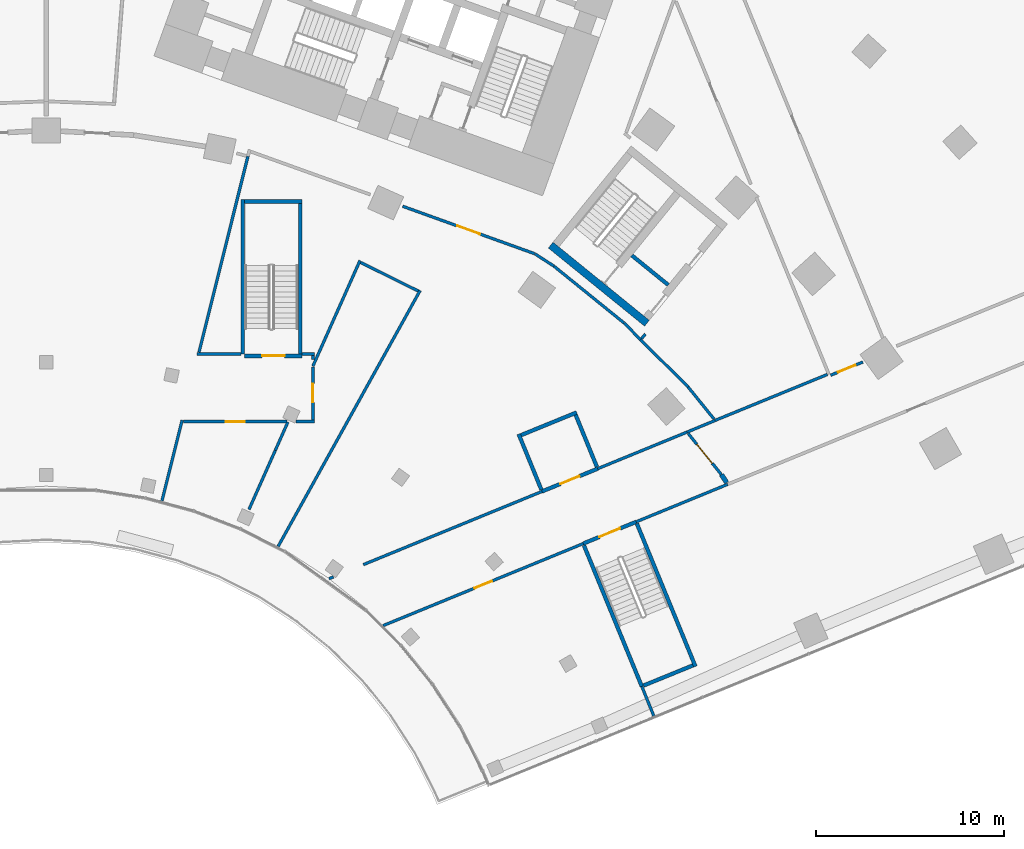
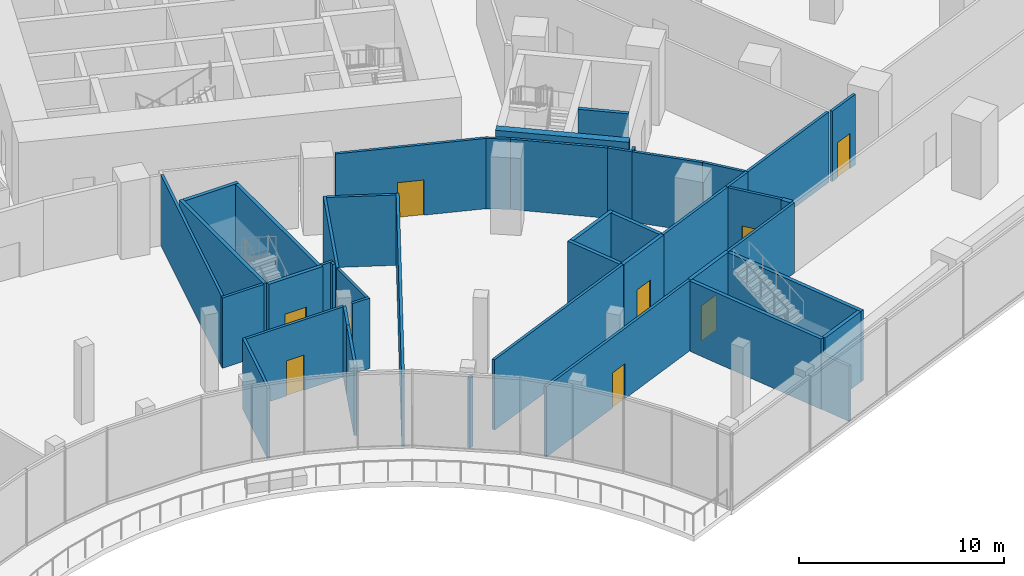
# One storey, part 25 of 39: 45 walls, 9 doors, 9 openings.
"""IFC4 building model written with IfcOpenShell, lengths in metres."""

from ifc_helpers import new_model, si_unit, direction, frame, frame_2d, origin, place, context, subcontext, project, spatial, rectangle, extrude, material, layer, layer_set, type_object, element, fill, save


model = new_model("IFC4")

# Units and contexts
model_context = context("Model", 3, precision=1e-05, world=origin(), true_north=direction((0.0, 1.0)))
body_context = subcontext(model_context, "Body", "Model", "MODEL_VIEW")
ifc_project = project(units=[si_unit("LENGTHUNIT", "METRE"), si_unit("AREAUNIT", "SQUARE_METRE"), si_unit("VOLUMEUNIT", "CUBIC_METRE"), si_unit("PLANEANGLEUNIT", "RADIAN"), si_unit("MASSUNIT", "GRAM", prefix="KILO")], contexts=[model_context])

# Site, building, storey
site_placement = place(None, origin())
site = spatial("IfcSite", under=ifc_project, at=site_placement, CompositionType="ELEMENT")
building_placement = place(site_placement, origin())
building = spatial("IfcBuilding", under=site, at=building_placement, Name="Stone Belt Terrace Tower", CompositionType="ELEMENT")
storey_placement = place(building_placement, frame((0.0, 0.0, 16.199951171875)))
storey = spatial("IfcBuildingStorey", under=building, at=storey_placement, Name="L03", CompositionType="ELEMENT", Elevation=16.199951171875)

# Walls
ifc_material_1 = material(Name="Fire-resistant glazing in steel frame", Category="steel")
ifc_layer_1 = layer(ifc_material_1, 0.25)
ifc_layer_set_1 = layer_set([ifc_layer_1], Name="Glazed compartment fire screen 250")
wall_type_1 = type_object("IfcWallType", Name="Glazed compartment fire screen 250", PredefinedType="PARTITIONING", material=ifc_layer_set_1)
wall_1_placement = place(storey_placement, frame((35.96337890625, 26.11474609375, 0.0), z_axis=(0.0, 0.0, 1.0), x_axis=(0.547453853433, -0.836835873013, 0.0)))
element("IfcWall", 1, at=wall_1_placement, inside=storey, type_object=wall_type_1, Name="Compartment fire screen L03 12", PredefinedType="PARTITIONING", context=body_context, shape_type="SweptSolid", body=[
    extrude(rectangle(XDim=0.5146484375, YDim=0.25, at=frame_2d((0.25732421875, 0.0))), origin(), (0.0, 0.0, 1.0), 4.199951171875),
])
ifc_material_2 = material(Name="Reinforced blockwork wall, plastered both faces", Category="masonry")
ifc_layer_2 = layer(ifc_material_2, 0.199951171875)
ifc_layer_set_2 = layer_set([ifc_layer_2], Name="Podium lift shaft wall 200")
wall_type_2 = type_object("IfcWallType", Name="Podium lift shaft wall 200", PredefinedType="SOLIDWALL", material=ifc_layer_set_2)
for number, where, z_axis, x_axis, name in (
    (2, (25.162109375, 28.272705078125, 0.0), (0.0, 0.0, 1.0), (0.378421783721, -0.925633271661, 0.0), "Podium lift shaft wall 200"),
    (3, (25.29248046875, 28.2177734375, 0.0), (0.0, 0.0, 1.0), (0.925660010793, 0.378356372246, 0.0), "Podium lift shaft wall 200"),
):
    element("IfcWall", number, at=place(storey_placement, frame(where, z_axis=z_axis, x_axis=x_axis)), inside=storey, type_object=wall_type_2, Name=name, PredefinedType="SOLIDWALL", context=body_context, shape_type="SweptSolid", body=[
        extrude(rectangle(XDim=3.197998046875, YDim=0.199951171875, at=frame_2d((1.59912109375, 0.0))), origin(), (0.0, 0.0, 1.0), 4.199951171875),
    ])

# Wall, opening, door
wall_2_placement = place(storey_placement, frame((26.409912109375, 25.219970703125, 0.0), z_axis=(0.0, 0.0, 1.0), x_axis=(0.925660010793, 0.378356372246, 0.0)))
wall_2 = element("IfcWall", 4, at=wall_2_placement, inside=storey, type_object=wall_type_2, Name="Podium lift shaft wall 200", PredefinedType="SOLIDWALL", context=body_context, shape_type="SweptSolid", body=[
    extrude(rectangle(XDim=3.197998046875, YDim=0.199951171875, at=frame_2d((1.59912109375, 0.0))), origin(), (0.0, 0.0, 1.0), 4.199951171875),
])
opening_1_placement = place(wall_2_placement, frame((1.048828125, 0.0, 0.0)))
opening_1 = element("IfcOpeningElement", 5, at=opening_1_placement, cuts=wall_2, Name="Opening L03-P10", PredefinedType="OPENING", context=body_context, shape_type="SweptSolid", body=[
    extrude(rectangle(XDim=1.10009765625, YDim=2.10009765625, at=frame_2d((0.550048828125, 1.050048828125))), frame((0.0, 0.10986328125, 0.0), z_axis=(0.0, -1.0, 0.0), x_axis=(1.0, 0.0, 0.0)), (0.0, 0.0, 1.0), 0.219970703125),
])
ifc_material_3 = material(Name="Stainless steel sliding landing door leaf", Category="steel")
door_type_1 = type_object("IfcDoorType", Name="Podium landing door 1100", OperationType="SLIDING_TO_LEFT", PredefinedType="DOOR", material=ifc_material_3)
door_1_placement = place(opening_1_placement, origin())
door_1 = element("IfcDoor", 6, at=door_1_placement, inside=storey, type_object=door_type_1, Name="Podium landing door 1100", OperationType="SLIDING_TO_LEFT", OverallHeight=2.10009765625, OverallWidth=1.10009765625, PredefinedType="DOOR", context=body_context, shape_type="SweptSolid", body=[
    extrude(rectangle(XDim=1.10009765625, YDim=2.10009765625, at=frame_2d((0.550048828125, 1.050048828125))), frame((0.0, 0.02490234375, 0.0), z_axis=(0.0, -1.0, 0.0), x_axis=(1.0, 0.0, 0.0)), (0.0, 0.0, 1.0), 0.050048828125),
])
fill(opening_1, door_1)

# Walls
wall_3_placement = place(storey_placement, frame((28.19775390625, 29.29736328125, 0.0), z_axis=(0.0, 0.0, 1.0), x_axis=(0.378471104771, -0.925613106461, 0.0)))
element("IfcWall", 7, at=wall_3_placement, inside=storey, type_object=wall_type_2, Name="Podium lift shaft wall 200", PredefinedType="SOLIDWALL", context=body_context, shape_type="SweptSolid", body=[
    extrude(rectangle(XDim=2.99755859375, YDim=0.199951171875, at=frame_2d((1.498779296875, 0.0))), origin(), (0.0, 0.0, 1.0), 4.199951171875),
])
ifc_material_4 = material(Name="Gypsum board on steel stud partition", Category="steel")
ifc_layer_3 = layer(ifc_material_4, 0.14990234375)
ifc_layer_set_3 = layer_set([ifc_layer_3], Name="Podium partition 150")
wall_type_3 = type_object("IfcWallType", Name="Podium partition 150", PredefinedType="PARTITIONING", material=ifc_layer_set_3)
wall_4_placement = place(storey_placement, frame((6.159912109375, 24.7099609375, 0.0), z_axis=(0.0, 0.0, 1.0), x_axis=(0.243092163695, 0.970003195845, 0.0)))
element("IfcWall", 8, at=wall_4_placement, inside=storey, type_object=wall_type_3, Name="Podium partition 150", PredefinedType="PARTITIONING", context=body_context, shape_type="SweptSolid", body=[
    extrude(rectangle(XDim=4.43798828125, YDim=0.14990234375, at=frame_2d((2.218994140625, 0.0))), origin(), (0.0, 0.0, 1.0), 4.199951171875),
])

# Wall, opening, door
wall_5_placement = place(storey_placement, frame((7.29736328125, 28.93994140625, 0.0), z_axis=(0.0, 0.0, 1.0), x_axis=(1.0, 0.0, 0.0)))
wall_5 = element("IfcWall", 9, at=wall_5_placement, inside=storey, type_object=wall_type_3, Name="Podium partition 150", PredefinedType="PARTITIONING", context=body_context, shape_type="SweptSolid", body=[
    extrude(rectangle(XDim=5.525634765625, YDim=0.14990234375, at=frame_2d((2.7626953125, 0.0))), origin(), (0.0, 0.0, 1.0), 4.199951171875),
])
opening_2_placement = place(wall_5_placement, frame((2.2626953125, 0.0, 0.0)))
opening_2 = element("IfcOpeningElement", 10, at=opening_2_placement, cuts=wall_5, Name="Opening L03-P30", PredefinedType="OPENING", context=body_context, shape_type="SweptSolid", body=[
    extrude(rectangle(XDim=1.0, YDim=2.10009765625, at=frame_2d((0.5, 1.050048828125))), frame((0.0, 0.0849609375, 0.0), z_axis=(0.0, -1.0, 0.0), x_axis=(1.0, 0.0, 0.0)), (0.0, 0.0, 1.0), 0.169921875),
])
ifc_material_5 = material(Name="Steel framed door leaf", Category="steel")
door_type_2 = type_object("IfcDoorType", Name="Podium door single 1000", OperationType="SINGLE_SWING_LEFT", PredefinedType="DOOR", material=ifc_material_5)
door_2_placement = place(opening_2_placement, origin())
door_2 = element("IfcDoor", 11, at=door_2_placement, inside=storey, type_object=door_type_2, Name="Podium door single 1000", OperationType="SINGLE_SWING_RIGHT", OverallHeight=2.10009765625, OverallWidth=1.0, PredefinedType="DOOR", context=body_context, shape_type="SweptSolid", body=[
    extrude(rectangle(XDim=1.0, YDim=2.10009765625, at=frame_2d((0.5, 1.050048828125))), frame((0.0, 0.02490234375, 0.0), z_axis=(0.0, -1.0, 0.0), x_axis=(1.0, 0.0, 0.0)), (0.0, 0.0, 1.0), 0.050048828125),
])
fill(opening_2, door_2)

# Walls
wall_6_placement = place(storey_placement, frame((8.03271484375, 32.5400390625, 0.0), z_axis=(0.0, 0.0, 1.0), x_axis=(1.0, 0.0, 0.0)))
element("IfcWall", 12, at=wall_6_placement, inside=storey, type_object=wall_type_3, Name="Podium partition 150", PredefinedType="PARTITIONING", context=body_context, shape_type="SweptSolid", body=[
    extrude(rectangle(XDim=2.33740234375, YDim=0.14990234375, at=frame_2d((1.168701171875, 0.0))), origin(), (0.0, 0.0, 1.0), 4.199951171875),
])
wall_7_placement = place(storey_placement, frame((8.133544921875, 32.634521484375, 0.0), z_axis=(0.0, 0.0, 1.0), x_axis=(0.242321992557, 0.970195883275, 0.0)))
element("IfcWall", 13, at=wall_7_placement, inside=storey, type_object=wall_type_3, Name="Podium partition 150", PredefinedType="PARTITIONING", context=body_context, shape_type="SweptSolid", body=[
    extrude(rectangle(XDim=10.756103515625, YDim=0.14990234375, at=frame_2d((5.3779296875, 0.0))), origin(), (0.0, 0.0, 1.0), 4.199951171875),
])
wall_8_placement = place(storey_placement, frame((10.795654296875, 24.256103515625, 0.0), z_axis=(0.0, 0.0, 1.0), x_axis=(0.406768267518, 0.913531376878, 0.0)))
element("IfcWall", 14, at=wall_8_placement, inside=storey, type_object=wall_type_3, Name="Podium partition 150", PredefinedType="PARTITIONING", context=body_context, shape_type="SweptSolid", body=[
    extrude(rectangle(XDim=3.452392578125, YDim=0.14990234375, at=frame_2d((1.72607421875, 0.0))), origin(), (0.0, 0.0, 1.0), 4.199951171875),
])

# Wall, opening, door
wall_9_placement = place(storey_placement, frame((18.987060546875, 40.4091796875, 0.0), z_axis=(0.0, 0.0, 1.0), x_axis=(0.940998255438, -0.338411411249, 0.0)))
wall_9 = element("IfcWall", 15, at=wall_9_placement, inside=storey, type_object=wall_type_3, Name="Podium partition 150", PredefinedType="PARTITIONING", context=body_context, shape_type="SweptSolid", body=[
    extrude(rectangle(XDim=7.46533203125, YDim=0.14990234375, at=frame_2d((3.732666015625, 0.0))), origin(), (0.0, 0.0, 1.0), 4.199951171875),
])
opening_3_placement = place(wall_9_placement, frame((3.08251953125, 0.0, 0.0)))
opening_3 = element("IfcOpeningElement", 16, at=opening_3_placement, cuts=wall_9, Name="Opening L03-P32", PredefinedType="OPENING", context=body_context, shape_type="SweptSolid", body=[
    extrude(rectangle(XDim=1.300048828125, YDim=2.10009765625, at=frame_2d((0.64990234375, 1.050048828125))), frame((0.0, 0.0849609375, 0.0), z_axis=(0.0, -1.0, 0.0), x_axis=(1.0, 0.0, 0.0)), (0.0, 0.0, 1.0), 0.169921875),
])
ifc_material_6 = material(Name="Steel framed fire door leaf", Category="steel")
door_type_3 = type_object("IfcDoorType", Name="Fire door 1300 x 2100 EI 60", OperationType="SINGLE_SWING_LEFT", PredefinedType="DOOR", material=ifc_material_6)
door_3_placement = place(opening_3_placement, origin())
door_3 = element("IfcDoor", 17, at=door_3_placement, inside=storey, type_object=door_type_3, Name="Fire door 1300 x 2100 EI 60", OperationType="SINGLE_SWING_LEFT", OverallHeight=2.10009765625, OverallWidth=1.300048828125, PredefinedType="DOOR", context=body_context, shape_type="SweptSolid", body=[
    extrude(rectangle(XDim=1.300048828125, YDim=2.10009765625, at=frame_2d((0.64990234375, 1.050048828125))), frame((0.0, 0.02490234375, 0.0), z_axis=(0.0, -1.0, 0.0), x_axis=(1.0, 0.0, 0.0)), (0.0, 0.0, 1.0), 0.050048828125),
])
fill(opening_3, door_3)

# Walls
wall_10_placement = place(storey_placement, frame((12.199951171875, 27.409912109375, 0.0), z_axis=(0.0, 0.0, 1.0), x_axis=(0.406152214357, 0.913805438139, 0.0)))
element("IfcWall", 18, at=wall_10_placement, inside=storey, type_object=wall_type_3, Name="Podium partition 150", PredefinedType="PARTITIONING", context=body_context, shape_type="SweptSolid", body=[
    extrude(rectangle(XDim=1.647705078125, YDim=0.14990234375, at=frame_2d((0.82373046875, 0.0))), origin(), (0.0, 0.0, 1.0), 4.199951171875),
])
wall_11_placement = place(storey_placement, frame((12.35009765625, 22.2900390625, 0.0), z_axis=(0.0, 0.0, 1.0), x_axis=(0.485208197881, 0.874398653195, 0.0)))
element("IfcWall", 19, at=wall_11_placement, inside=storey, type_object=wall_type_3, Name="Podium partition 150", PredefinedType="PARTITIONING", context=body_context, shape_type="SweptSolid", body=[
    extrude(rectangle(XDim=15.59423828125, YDim=0.14990234375, at=frame_2d((7.797119140625, 0.0))), origin(), (0.0, 0.0, 1.0), 4.199951171875),
])
wall_12_placement = place(storey_placement, frame((13.28955078125, 28.93994140625, 0.0), z_axis=(0.0, 0.0, 1.0), x_axis=(1.0, 0.0, 0.0)))
element("IfcWall", 20, at=wall_12_placement, inside=storey, type_object=wall_type_3, Name="Podium partition 150", PredefinedType="PARTITIONING", context=body_context, shape_type="SweptSolid", body=[
    extrude(rectangle(XDim=0.9853515625, YDim=0.14990234375, at=frame_2d((0.49267578125, 0.0))), origin(), (0.0, 0.0, 1.0), 4.199951171875),
])
wall_13_placement = place(storey_placement, frame((13.6298828125, 32.5400390625, 0.0), z_axis=(0.0, 0.0, 1.0), x_axis=(1.0, 0.0, 0.0)))
element("IfcWall", 21, at=wall_13_placement, inside=storey, type_object=wall_type_3, Name="Podium partition 150", PredefinedType="PARTITIONING", context=body_context, shape_type="SweptSolid", body=[
    extrude(rectangle(XDim=0.64501953125, YDim=0.14990234375, at=frame_2d((0.322509765625, 0.0))), origin(), (0.0, 0.0, 1.0), 4.199951171875),
])

# Wall, opening, door
wall_14_placement = place(storey_placement, frame((14.199951171875, 29.014892578125, 0.0), z_axis=(0.0, 0.0, 1.0), x_axis=(0.0, 1.0, 0.0)))
wall_14 = element("IfcWall", 22, at=wall_14_placement, inside=storey, type_object=wall_type_3, Name="Podium partition 150", PredefinedType="PARTITIONING", context=body_context, shape_type="SweptSolid", body=[
    extrude(rectangle(XDim=2.84521484375, YDim=0.14990234375, at=frame_2d((1.422607421875, 0.0))), origin(), (0.0, 0.0, 1.0), 4.199951171875),
])
opening_4_placement = place(wall_14_placement, frame((0.9423828125, 0.0, 0.0)))
opening_4 = element("IfcOpeningElement", 23, at=opening_4_placement, cuts=wall_14, Name="Opening L03-P31", PredefinedType="OPENING", context=body_context, shape_type="SweptSolid", body=[
    extrude(rectangle(XDim=1.0, YDim=2.10009765625, at=frame_2d((0.5, 1.050048828125))), frame((0.0, 0.0849609375, 0.0), z_axis=(0.0, -1.0, 0.0), x_axis=(1.0, 0.0, 0.0)), (0.0, 0.0, 1.0), 0.169921875),
])
door_4_placement = place(opening_4_placement, origin())
door_4 = element("IfcDoor", 24, at=door_4_placement, inside=storey, type_object=door_type_2, Name="Podium door single 1000", OperationType="SINGLE_SWING_LEFT", OverallHeight=2.10009765625, OverallWidth=1.0, PredefinedType="DOOR", context=body_context, shape_type="SweptSolid", body=[
    extrude(rectangle(XDim=1.0, YDim=2.10009765625, at=frame_2d((0.5, 1.050048828125))), frame((0.0, 0.02490234375, 0.0), z_axis=(0.0, -1.0, 0.0), x_axis=(1.0, 0.0, 0.0)), (0.0, 0.0, 1.0), 0.050048828125),
])
fill(opening_4, door_4)

# Walls
wall_15_placement = place(storey_placement, frame((14.199951171875, 32.241943359375, 0.0), z_axis=(0.0, 0.0, 1.0), x_axis=(0.0, 1.0, 0.0)))
element("IfcWall", 25, at=wall_15_placement, inside=storey, type_object=wall_type_3, Name="Podium partition 150", PredefinedType="PARTITIONING", context=body_context, shape_type="SweptSolid", body=[
    extrude(rectangle(XDim=0.22314453125, YDim=0.14990234375, at=frame_2d((0.111572265625, 0.0))), origin(), (0.0, 0.0, 1.0), 4.199951171875),
])
wall_16_placement = place(storey_placement, frame((14.199951171875, 31.889892578125, 0.0), z_axis=(0.0, 0.0, 1.0), x_axis=(0.407373019236, 0.913261859052, 0.0)))
element("IfcWall", 26, at=wall_16_placement, inside=storey, type_object=wall_type_3, Name="Podium partition 150", PredefinedType="PARTITIONING", context=body_context, shape_type="SweptSolid", body=[
    extrude(rectangle(XDim=6.163330078125, YDim=0.14990234375, at=frame_2d((3.08154296875, 0.0))), origin(), (0.0, 0.0, 1.0), 4.199951171875),
])
wall_17_placement = place(storey_placement, frame((15.06005859375, 20.570068359375, 0.0), z_axis=(0.0, 0.0, 1.0), x_axis=(0.925228539946, 0.379410264582, 0.0)))
element("IfcWall", 27, at=wall_17_placement, inside=storey, type_object=wall_type_3, Name="Podium partition 150", PredefinedType="PARTITIONING", context=body_context, shape_type="SweptSolid", body=[
    extrude(rectangle(XDim=0.2568359375, YDim=0.14990234375, at=frame_2d((0.12841796875, 0.0))), origin(), (0.0, 0.0, 1.0), 4.199951171875),
])
wall_18_placement = place(storey_placement, frame((16.889404296875, 21.319580078125, 0.0), z_axis=(0.0, 0.0, 1.0), x_axis=(0.925354817389, 0.379102178752, 0.0)))
element("IfcWall", 28, at=wall_18_placement, inside=storey, type_object=wall_type_3, Name="Podium partition 150", PredefinedType="PARTITIONING", context=body_context, shape_type="SweptSolid", body=[
    extrude(rectangle(XDim=10.28857421875, YDim=0.14990234375, at=frame_2d((5.144287109375, 0.0))), origin(), (0.0, 0.0, 1.0), 4.199951171875),
])
wall_19_placement = place(storey_placement, frame((16.747314453125, 37.41650390625, 0.0), z_axis=(0.0, 0.0, 1.0), x_axis=(0.895537068397, -0.444986920176, 0.0)))
element("IfcWall", 29, at=wall_19_placement, inside=storey, type_object=wall_type_3, Name="Podium partition 150", PredefinedType="PARTITIONING", context=body_context, shape_type="SweptSolid", body=[
    extrude(rectangle(XDim=3.423095703125, YDim=0.14990234375, at=frame_2d((1.71142578125, 0.0))), origin(), (0.0, 0.0, 1.0), 4.199951171875),
])

# Wall, opening, door
wall_20_placement = place(storey_placement, frame((17.93994140625, 18.070068359375, 0.0), z_axis=(0.0, 0.0, 1.0), x_axis=(0.925276002208, 0.379294502646, 0.0)))
wall_20 = element("IfcWall", 30, at=wall_20_placement, inside=storey, type_object=wall_type_3, Name="Podium partition 150", PredefinedType="PARTITIONING", context=body_context, shape_type="SweptSolid", body=[
    extrude(rectangle(XDim=11.52099609375, YDim=0.14990234375, at=frame_2d((5.760498046875, 0.0))), origin(), (0.0, 0.0, 1.0), 4.199951171875),
])
opening_5_placement = place(wall_20_placement, frame((5.260498046875, 0.0, 0.0)))
opening_5 = element("IfcOpeningElement", 31, at=opening_5_placement, cuts=wall_20, Name="Opening L03-P22", PredefinedType="OPENING", context=body_context, shape_type="SweptSolid", body=[
    extrude(rectangle(XDim=1.0, YDim=2.10009765625, at=frame_2d((0.5, 1.050048828125))), frame((0.0, 0.0849609375, 0.0), z_axis=(0.0, -1.0, 0.0), x_axis=(1.0, 0.0, 0.0)), (0.0, 0.0, 1.0), 0.169921875),
])
door_5_placement = place(opening_5_placement, origin())
door_5 = element("IfcDoor", 32, at=door_5_placement, inside=storey, type_object=door_type_2, Name="Podium door single 1000", OperationType="SINGLE_SWING_RIGHT", OverallHeight=2.10009765625, OverallWidth=1.0, PredefinedType="DOOR", context=body_context, shape_type="SweptSolid", body=[
    extrude(rectangle(XDim=1.0, YDim=2.10009765625, at=frame_2d((0.5, 1.050048828125))), frame((0.0, 0.02490234375, 0.0), z_axis=(0.0, -1.0, 0.0), x_axis=(1.0, 0.0, 0.0)), (0.0, 0.0, 1.0), 0.050048828125),
])
fill(opening_5, door_5)

# Walls
wall_21_placement = place(storey_placement, frame((26.027099609375, 37.875244140625, 0.0), z_axis=(0.0, 0.0, 1.0), x_axis=(0.839624630596, -0.543167082671, 0.0)))
element("IfcWall", 33, at=wall_21_placement, inside=storey, type_object=wall_type_3, Name="Podium partition 150", PredefinedType="PARTITIONING", context=body_context, shape_type="SweptSolid", body=[
    extrude(rectangle(XDim=1.202392578125, YDim=0.14990234375, at=frame_2d((0.60107421875, 0.0))), origin(), (0.0, 0.0, 1.0), 4.199951171875),
])
wall_22_placement = place(storey_placement, frame((27.043212890625, 37.217529296875, 0.0), z_axis=(0.0, 0.0, 1.0), x_axis=(0.776997524814, -0.62950365085, 0.0)))
element("IfcWall", 34, at=wall_22_placement, inside=storey, type_object=wall_type_3, Name="Podium partition 150", PredefinedType="PARTITIONING", context=body_context, shape_type="SweptSolid", body=[
    extrude(rectangle(XDim=4.80517578125, YDim=0.14990234375, at=frame_2d((2.402587890625, 0.0))), origin(), (0.0, 0.0, 1.0), 4.199951171875),
])
wall_23_placement = place(storey_placement, frame((29.3701171875, 26.429931640625, 0.0), z_axis=(0.0, 0.0, 1.0), x_axis=(0.925357825015, 0.37909483732, 0.0)))
element("IfcWall", 35, at=wall_23_placement, inside=storey, type_object=wall_type_3, Name="Podium partition 150", PredefinedType="PARTITIONING", context=body_context, shape_type="SweptSolid", body=[
    extrude(rectangle(XDim=5.143798828125, YDim=0.14990234375, at=frame_2d((2.57177734375, 0.0))), origin(), (0.0, 0.0, 1.0), 4.199951171875),
])
wall_24_placement = place(storey_placement, frame((30.782958984375, 34.18701171875, 0.0), z_axis=(0.0, 0.0, 1.0), x_axis=(0.703180681759, -0.7110112016, 0.0)))
element("IfcWall", 36, at=wall_24_placement, inside=storey, type_object=wall_type_3, Name="Podium partition 150", PredefinedType="PARTITIONING", context=body_context, shape_type="SweptSolid", body=[
    extrude(rectangle(XDim=1.2470703125, YDim=0.14990234375, at=frame_2d((0.62353515625, 0.0))), origin(), (0.0, 0.0, 1.0), 4.199951171875),
])
wall_25_placement = place(storey_placement, frame((31.419921875, 23.60009765625, 0.0), z_axis=(0.0, 0.0, 1.0), x_axis=(0.92530860032, 0.379214970925, 0.0)))
element("IfcWall", 37, at=wall_25_placement, inside=storey, type_object=wall_type_3, Name="Podium partition 150", PredefinedType="PARTITIONING", context=body_context, shape_type="SweptSolid", body=[
    extrude(rectangle(XDim=5.274169921875, YDim=0.14990234375, at=frame_2d((2.63720703125, 0.0))), origin(), (0.0, 0.0, 1.0), 4.199951171875),
])
wall_26_placement = place(storey_placement, frame((31.708251953125, 33.35791015625, 0.0), z_axis=(0.0, 0.0, 1.0), x_axis=(0.639879560063, 0.768475210149, 0.0)))
element("IfcWall", 38, at=wall_26_placement, inside=storey, type_object=wall_type_3, Name="Podium partition 150", PredefinedType="PARTITIONING", context=body_context, shape_type="SweptSolid", body=[
    extrude(rectangle(XDim=0.315185546875, YDim=0.14990234375, at=frame_2d((0.15771484375, 0.0))), origin(), (0.0, 0.0, 1.0), 4.199951171875),
])
wall_27_placement = place(storey_placement, frame((31.66015625, 33.2998046875, 0.0), z_axis=(0.0, 0.0, 1.0), x_axis=(0.708474488718, -0.705736423061, 0.0)))
element("IfcWall", 39, at=wall_27_placement, inside=storey, type_object=wall_type_3, Name="Podium partition 150", PredefinedType="PARTITIONING", context=body_context, shape_type="SweptSolid", body=[
    extrude(rectangle(XDim=3.566650390625, YDim=0.14990234375, at=frame_2d((1.783203125, 0.0))), origin(), (0.0, 0.0, 1.0), 4.199951171875),
])
wall_28_placement = place(storey_placement, frame((31.72021484375, 14.83984375, 0.0), z_axis=(0.0, 0.0, 1.0), x_axis=(0.375412514618, -0.926857833688, 0.0)))
element("IfcWall", 40, at=wall_28_placement, inside=storey, type_object=wall_type_3, Name="Podium partition 150", PredefinedType="PARTITIONING", context=body_context, shape_type="SweptSolid", body=[
    extrude(rectangle(XDim=1.70458984375, YDim=0.14990234375, at=frame_2d((0.852294921875, 0.0))), origin(), (0.0, 0.0, 1.0), 3.300048828125),
])
wall_29_placement = place(storey_placement, frame((34.130126953125, 28.3798828125, 0.0), z_axis=(0.0, 0.0, 1.0), x_axis=(0.924125562771, 0.382088921892, 0.0)))
element("IfcWall", 41, at=wall_29_placement, inside=storey, type_object=wall_type_3, Name="Podium partition 150", PredefinedType="PARTITIONING", context=body_context, shape_type="SweptSolid", body=[
    extrude(rectangle(XDim=1.61328125, YDim=0.14990234375, at=frame_2d((0.806640625, 0.0))), origin(), (0.0, 0.0, 1.0), 4.199951171875),
])

# Wall, opening, door
wall_30_placement = place(storey_placement, frame((34.193115234375, 28.302001953125, 0.0), z_axis=(0.0, 0.0, 1.0), x_axis=(0.629303430663, -0.777159695401, 0.0)))
wall_30 = element("IfcWall", 42, at=wall_30_placement, inside=storey, type_object=wall_type_3, Name="Podium partition 150", PredefinedType="PARTITIONING", context=body_context, shape_type="SweptSolid", body=[
    extrude(rectangle(XDim=2.8037109375, YDim=0.14990234375, at=frame_2d((1.40185546875, 0.0))), origin(), (0.0, 0.0, 1.0), 4.199951171875),
])
opening_6_placement = place(wall_30_placement, frame((0.740966796875, 0.0, 0.0)))
opening_6 = element("IfcOpeningElement", 43, at=opening_6_placement, cuts=wall_30, Name="Opening L03-P43", PredefinedType="OPENING", context=body_context, shape_type="SweptSolid", body=[
    extrude(rectangle(XDim=1.300048828125, YDim=2.10009765625, at=frame_2d((0.64990234375, 1.050048828125))), frame((0.0, 0.0849609375, 0.0), z_axis=(0.0, -1.0, 0.0), x_axis=(1.0, 0.0, 0.0)), (0.0, 0.0, 1.0), 0.169921875),
])
door_6_placement = place(opening_6_placement, origin())
door_6 = element("IfcDoor", 44, at=door_6_placement, inside=storey, type_object=door_type_3, Name="Fire door 1300 x 2100 EI 60", OperationType="SINGLE_SWING_LEFT", OverallHeight=2.10009765625, OverallWidth=1.300048828125, PredefinedType="DOOR", context=body_context, shape_type="SweptSolid", body=[
    extrude(rectangle(XDim=1.300048828125, YDim=2.10009765625, at=frame_2d((0.64990234375, 1.050048828125))), frame((0.0, 0.02490234375, 0.0), z_axis=(0.0, -1.0, 0.0), x_axis=(1.0, 0.0, 0.0)), (0.0, 0.0, 1.0), 0.050048828125),
])
fill(opening_6, door_6)

# Walls
wall_31_placement = place(storey_placement, frame((34.1923828125, 30.77685546875, 0.0), z_axis=(0.0, 0.0, 1.0), x_axis=(0.628963595467, -0.77743475326, 0.0)))
element("IfcWall", 45, at=wall_31_placement, inside=storey, type_object=wall_type_3, Name="Podium partition 150", PredefinedType="PARTITIONING", context=body_context, shape_type="SweptSolid", body=[
    extrude(rectangle(XDim=2.185302734375, YDim=0.14990234375, at=frame_2d((1.0927734375, 0.0))), origin(), (0.0, 0.0, 1.0), 4.199951171875),
])
wall_32_placement = place(storey_placement, frame((35.6201171875, 29.0, 0.0), z_axis=(0.0, 0.0, 1.0), x_axis=(0.925495236726, 0.378759246485, 0.0)))
element("IfcWall", 46, at=wall_32_placement, inside=storey, type_object=wall_type_3, Name="Podium partition 150", PredefinedType="PARTITIONING", context=body_context, shape_type="SweptSolid", body=[
    extrude(rectangle(XDim=6.4677734375, YDim=0.14990234375, at=frame_2d((3.23388671875, 0.0))), origin(), (0.0, 0.0, 1.0), 4.199951171875),
])

# Wall, opening, door
wall_33_placement = place(storey_placement, frame((41.779296875, 31.408447265625, 0.0), z_axis=(0.0, 0.0, 1.0), x_axis=(0.925419228922, 0.378944917821, 0.0)))
wall_33 = element("IfcWall", 47, at=wall_33_placement, inside=storey, type_object=wall_type_3, Name="Podium partition 150", PredefinedType="PARTITIONING", context=body_context, shape_type="SweptSolid", body=[
    extrude(rectangle(XDim=1.858154296875, YDim=0.14990234375, at=frame_2d((0.92919921875, 0.0))), origin(), (0.0, 0.0, 1.0), 4.199951171875),
])
opening_7_placement = place(wall_33_placement, frame((0.42919921875, 0.0, 0.0)))
opening_7 = element("IfcOpeningElement", 48, at=opening_7_placement, cuts=wall_33, Name="Opening L03-P41", PredefinedType="OPENING", context=body_context, shape_type="SweptSolid", body=[
    extrude(rectangle(XDim=1.0, YDim=2.10009765625, at=frame_2d((0.5, 1.050048828125))), frame((0.0, 0.0849609375, 0.0), z_axis=(0.0, -1.0, 0.0), x_axis=(1.0, 0.0, 0.0)), (0.0, 0.0, 1.0), 0.169921875),
])
door_7_placement = place(opening_7_placement, origin())
door_7 = element("IfcDoor", 49, at=door_7_placement, inside=storey, type_object=door_type_2, Name="Podium door single 1000", OperationType="SINGLE_SWING_LEFT", OverallHeight=2.10009765625, OverallWidth=1.0, PredefinedType="DOOR", context=body_context, shape_type="SweptSolid", body=[
    extrude(rectangle(XDim=1.0, YDim=2.10009765625, at=frame_2d((0.5, 1.050048828125))), frame((0.0, 0.02490234375, 0.0), z_axis=(0.0, -1.0, 0.0), x_axis=(1.0, 0.0, 0.0)), (0.0, 0.0, 1.0), 0.050048828125),
])
fill(opening_7, door_7)

ifc_material_7 = material(Name="Concrete B30", Category="concrete")
ifc_layer_4 = layer(ifc_material_7, 0.199951171875)
ifc_layer_set_4 = layer_set([ifc_layer_4], Name="Podium stair and shaft wall 200")
wall_type_4 = type_object("IfcWallType", Name="Podium stair and shaft wall 200", PredefinedType="SOLIDWALL", material=ifc_layer_set_4)
wall_34_placement = place(storey_placement, frame((10.570068359375, 32.43994140625, 0.0), z_axis=(0.0, 0.0, 1.0), x_axis=(1.0, 0.0, 0.0)))
wall_34 = element("IfcWall", 50, at=wall_34_placement, inside=storey, type_object=wall_type_4, Name="Podium stair and shaft wall 200", PredefinedType="SOLIDWALL", context=body_context, shape_type="SweptSolid", body=[
    extrude(rectangle(XDim=3.059814453125, YDim=0.199951171875, at=frame_2d((1.52978515625, 0.0))), origin(), (0.0, 0.0, 1.0), 4.199951171875),
])
opening_8_placement = place(wall_34_placement, frame((0.929931640625, 0.0, 0.0)))
opening_8 = element("IfcOpeningElement", 51, at=opening_8_placement, cuts=wall_34, Name="Opening L03-P06", PredefinedType="OPENING", context=body_context, shape_type="SweptSolid", body=[
    extrude(rectangle(XDim=1.199951171875, YDim=2.10009765625, at=frame_2d((0.60009765625, 1.050048828125))), frame((0.0, 0.10986328125, 0.0), z_axis=(0.0, -1.0, 0.0), x_axis=(1.0, 0.0, 0.0)), (0.0, 0.0, 1.0), 0.219970703125),
])
door_type_4 = type_object("IfcDoorType", Name="Podium door fire stair 1200", OperationType="SINGLE_SWING_LEFT", PredefinedType="DOOR", material=ifc_material_5)
door_8_placement = place(opening_8_placement, origin())
door_8 = element("IfcDoor", 52, at=door_8_placement, inside=storey, type_object=door_type_4, Name="Podium door fire stair 1200", OperationType="SINGLE_SWING_RIGHT", OverallHeight=2.10009765625, OverallWidth=1.199951171875, PredefinedType="DOOR", context=body_context, shape_type="SweptSolid", body=[
    extrude(rectangle(XDim=1.199951171875, YDim=2.10009765625, at=frame_2d((0.60009765625, 1.050048828125))), frame((0.0, 0.02490234375, 0.0), z_axis=(0.0, -1.0, 0.0), x_axis=(1.0, 0.0, 0.0)), (0.0, 0.0, 1.0), 0.050048828125),
])
fill(opening_8, door_8)

# Walls
wall_35_placement = place(storey_placement, frame((10.469970703125, 32.5400390625, 0.0), z_axis=(0.0, 0.0, 1.0), x_axis=(0.0, 1.0, 0.0)))
element("IfcWall", 53, at=wall_35_placement, inside=storey, type_object=wall_type_4, Name="Podium stair and shaft wall 200", PredefinedType="SOLIDWALL", context=body_context, shape_type="SweptSolid", body=[
    extrude(rectangle(XDim=8.219970703125, YDim=0.199951171875, at=frame_2d((4.10986328125, 0.0))), origin(), (0.0, 0.0, 1.0), 4.199951171875),
])
wall_36_placement = place(storey_placement, frame((10.570068359375, 40.659912109375, 0.0), z_axis=(0.0, 0.0, 1.0), x_axis=(1.0, 0.0, 0.0)))
element("IfcWall", 54, at=wall_36_placement, inside=storey, type_object=wall_type_4, Name="Podium stair and shaft wall 200", PredefinedType="SOLIDWALL", context=body_context, shape_type="SweptSolid", body=[
    extrude(rectangle(XDim=3.059814453125, YDim=0.199951171875, at=frame_2d((1.52978515625, 0.0))), origin(), (0.0, 0.0, 1.0), 4.199951171875),
])
wall_37_placement = place(storey_placement, frame((13.530029296875, 32.5400390625, 0.0), z_axis=(0.0, 0.0, 1.0), x_axis=(0.0, 1.0, 0.0)))
element("IfcWall", 55, at=wall_37_placement, inside=storey, type_object=wall_type_4, Name="Podium stair and shaft wall 200", PredefinedType="SOLIDWALL", context=body_context, shape_type="SweptSolid", body=[
    extrude(rectangle(XDim=8.02001953125, YDim=0.199951171875, at=frame_2d((4.010009765625, 0.0))), origin(), (0.0, 0.0, 1.0), 4.199951171875),
])

# Wall, opening, door
wall_38_placement = place(storey_placement, frame((28.60009765625, 22.43994140625, 0.0), z_axis=(0.0, 0.0, 1.0), x_axis=(0.924787502584, 0.380484001063, 0.0)))
wall_38 = element("IfcWall", 56, at=wall_38_placement, inside=storey, type_object=wall_type_4, Name="Podium stair and shaft wall 200", PredefinedType="SOLIDWALL", context=body_context, shape_type="SweptSolid", body=[
    extrude(rectangle(XDim=3.049072265625, YDim=0.199951171875, at=frame_2d((1.5244140625, 0.0))), origin(), (0.0, 0.0, 1.0), 4.199951171875),
])
opening_9_placement = place(wall_38_placement, frame((0.924560546875, 0.0, 0.0)))
opening_9 = element("IfcOpeningElement", 57, at=opening_9_placement, cuts=wall_38, Name="Opening L03-P03", PredefinedType="OPENING", context=body_context, shape_type="SweptSolid", body=[
    extrude(rectangle(XDim=1.199951171875, YDim=2.10009765625, at=frame_2d((0.60009765625, 1.050048828125))), frame((0.0, 0.10986328125, 0.0), z_axis=(0.0, -1.0, 0.0), x_axis=(1.0, 0.0, 0.0)), (0.0, 0.0, 1.0), 0.219970703125),
])
door_9_placement = place(opening_9_placement, origin())
door_9 = element("IfcDoor", 58, at=door_9_placement, inside=storey, type_object=door_type_4, Name="Podium door fire stair 1200", OperationType="SINGLE_SWING_LEFT", OverallHeight=2.10009765625, OverallWidth=1.199951171875, PredefinedType="DOOR", context=body_context, shape_type="SweptSolid", body=[
    extrude(rectangle(XDim=1.199951171875, YDim=2.10009765625, at=frame_2d((0.60009765625, 1.050048828125))), frame((0.0, 0.02490234375, 0.0), z_axis=(0.0, -1.0, 0.0), x_axis=(1.0, 0.0, 0.0)), (0.0, 0.0, 1.0), 0.050048828125),
])
fill(opening_9, door_9)

# Walls
wall_39_placement = place(storey_placement, frame((28.637939453125, 22.347412109375, 0.0), z_axis=(0.0, 0.0, 1.0), x_axis=(0.379778190266, -0.925077578476, 0.0)))
element("IfcWall", 59, at=wall_39_placement, inside=storey, type_object=wall_type_4, Name="Podium stair and shaft wall 200", PredefinedType="SOLIDWALL", context=body_context, shape_type="SweptSolid", body=[
    extrude(rectangle(XDim=8.115234375, YDim=0.199951171875, at=frame_2d((4.0576171875, 0.0))), origin(), (0.0, 0.0, 1.0), 4.199951171875),
])
wall_40_placement = place(storey_placement, frame((31.4580078125, 23.507568359375, 0.0), z_axis=(0.0, 0.0, 1.0), x_axis=(0.379325073911, -0.925263469668, 0.0)))
element("IfcWall", 60, at=wall_40_placement, inside=storey, type_object=wall_type_4, Name="Podium stair and shaft wall 200", PredefinedType="SOLIDWALL", context=body_context, shape_type="SweptSolid", body=[
    extrude(rectangle(XDim=8.224853515625, YDim=0.199951171875, at=frame_2d((4.1123046875, 0.0))), origin(), (0.0, 0.0, 1.0), 4.199951171875),
])
wall_41_placement = place(storey_placement, frame((31.8125, 14.877685546875, 0.0), z_axis=(0.0, 0.0, 1.0), x_axis=(0.925976847494, 0.377580293322, 0.0)))
element("IfcWall", 61, at=wall_41_placement, inside=storey, type_object=wall_type_4, Name="Podium stair and shaft wall 200", PredefinedType="SOLIDWALL", context=body_context, shape_type="SweptSolid", body=[
    extrude(rectangle(XDim=2.845703125, YDim=0.199951171875, at=frame_2d((1.4228515625, 0.0))), origin(), (0.0, 0.0, 1.0), 4.199951171875),
])
ifc_material_8 = material(Name="Concrete masonry block", Category="masonry")
ifc_layer_5 = layer(ifc_material_8, 0.199951171875)
ifc_layer_set_5 = layer_set([ifc_layer_5], Name="Rated lobby wall 200")
wall_type_5 = type_object("IfcWallType", Name="Rated lobby wall 200", PredefinedType="PARTITIONING", material=ifc_layer_set_5)
wall_42_placement = place(storey_placement, frame((31.190673828125, 37.79296875, 0.0), z_axis=(0.0, 0.0, 1.0), x_axis=(0.776370830301, -0.630276394813, 0.0)))
element("IfcWall", 62, at=wall_42_placement, inside=storey, type_object=wall_type_5, Name="Exit stair ST3B wall", PredefinedType="PARTITIONING", context=body_context, shape_type="SweptSolid", body=[
    extrude(rectangle(XDim=2.5, YDim=0.199951171875, at=frame_2d((1.25, 0.0))), origin(), (0.0, 0.0, 1.0), 4.199951171875),
])
ifc_material_9 = material(Name="Concrete B80", Category="concrete")
ifc_layer_6 = layer(ifc_material_9, 0.39990234375)
ifc_layer_set_6 = layer_set([ifc_layer_6], Name="Stair enclosure wall 400")
wall_type_6 = type_object("IfcWallType", Name="Stair enclosure wall 400", PredefinedType="SHEAR", material=ifc_layer_set_6)
wall_43_placement = place(storey_placement, frame((26.868408203125, 38.3388671875, 0.0), z_axis=(0.0, 0.0, 1.0), x_axis=(0.776428452498, -0.630205409491, 0.0)))
element("IfcWall", 63, at=wall_43_placement, inside=storey, type_object=wall_type_6, Name="Exit stair ST3B wall", PredefinedType="SHEAR", context=body_context, shape_type="SweptSolid", body=[
    extrude(rectangle(XDim=6.60009765625, YDim=0.39990234375, at=frame_2d((3.300048828125, 0.0))), origin(), (0.0, 0.0, 1.0), 4.199951171875),
])

save(model, "model.ifc")
